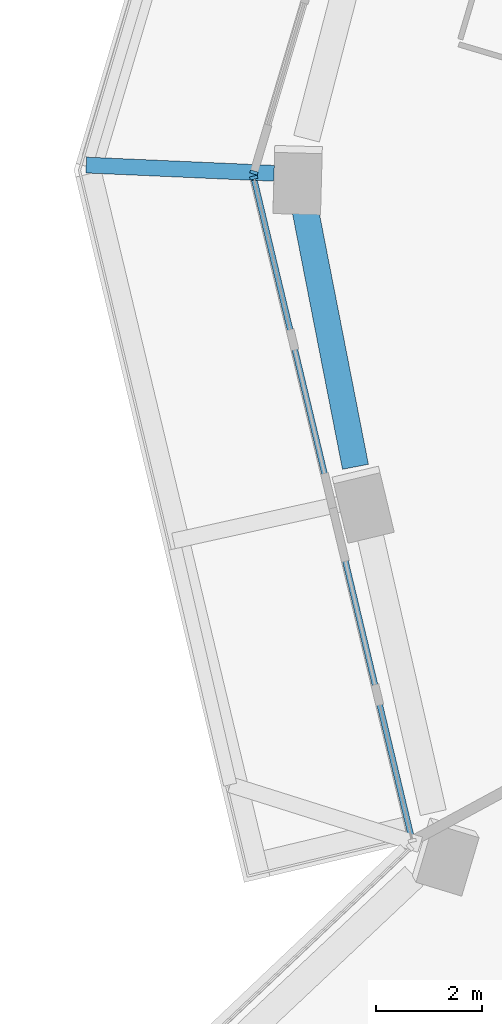
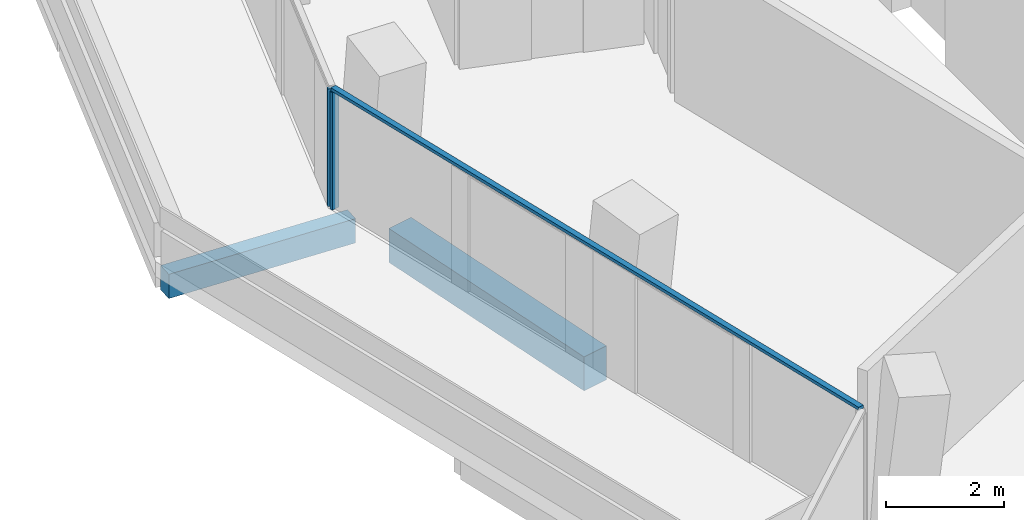
# One storey, part 4 of 27: 3 members, 2 beams, 2 elements without a shape of their own.
"""IFC4 building model written with IfcOpenShell, lengths in metres."""

from ifc_helpers import new_model, si_unit, direction, frame, origin, origin_2d, place, context, subcontext, project, spatial, rectangle, extrude, material, layer, layer_set, material_profile, profile_set, type_object, element, aggregate, save


model = new_model("IFC4")

# Units and contexts
model_context = context("Model", 3, precision=1e-05, world=origin(), true_north=direction((0.0, 1.0)))
body_context = subcontext(model_context, "Body", "Model", "MODEL_VIEW")
ifc_project = project(units=[si_unit("LENGTHUNIT", "METRE"), si_unit("AREAUNIT", "SQUARE_METRE"), si_unit("VOLUMEUNIT", "CUBIC_METRE"), si_unit("PLANEANGLEUNIT", "RADIAN"), si_unit("MASSUNIT", "GRAM", prefix="KILO")], contexts=[model_context])

# Site, building, storey
site_placement = place(None, origin())
site = spatial("IfcSite", under=ifc_project, at=site_placement, CompositionType="ELEMENT")
building_placement = place(site_placement, origin())
building = spatial("IfcBuilding", under=site, at=building_placement, Name="Verdalira Terraces Hotel", CompositionType="ELEMENT")
storey_placement = place(building_placement, frame((0.0, 0.0, 89.5)))
storey = spatial("IfcBuildingStorey", under=building, at=storey_placement, Name="L20", CompositionType="ELEMENT", Elevation=89.5)

# Beam
ifc_material_1 = material(Name="Concrete C40", Category="concrete")
ifc_material_profile_1 = material_profile(ifc_material_1, rectangle(XDim=0.300049, YDim=0.5, at=origin_2d()), Name="RC 300X500")
ifc_profile_set_1 = profile_set([ifc_material_profile_1], Name="Concrete C40")
beam_type_1 = type_object("IfcBeamType", Name="Balcony cantilever beam RC 300X500 C40", PredefinedType="BEAM", material=ifc_profile_set_1)
beam_1_placement = place(storey_placement, frame((-24.63208, 0.714355, -0.560059), z_axis=(-0.999034536, 0.04393171, 0.0), x_axis=(-0.04393171, -0.999034536, 0.0)))
element("IfcBeam", 1, at=beam_1_placement, inside=storey, type_object=beam_type_1, Name="Balcony cantilever beam R12-5", PredefinedType="BEAM", context=body_context, shape_type="SweptSolid", body=[
    extrude(rectangle(XDim=0.300049, YDim=0.5, at=origin_2d()), origin(), (0.0, 0.0, 1.0), 3.556641),
])

# Curtain wall, member
ifc_material_2 = material(Name="Clear glass", Category="glass")
ifc_layer = layer(ifc_material_2, 0.14990234375)
ifc_layer_set = layer_set([ifc_layer], Name="CW1 curtain wall")
curtain_wall_type = type_object("IfcCurtainWallType", Name="CW1 curtain wall", PredefinedType="NOTDEFINED", material=ifc_layer_set)
curtain_wall_1_placement = place(storey_placement, origin())
curtain_wall_1 = element("IfcCurtainWall", 2, at=curtain_wall_1_placement, inside=storey, type_object=curtain_wall_type, Name="CW1 curtain wall L20 edge 12", PredefinedType="NOTDEFINED")
ifc_material_3 = material(Name="Terracotta frame", Category="masonry")
ifc_material_profile_2 = material_profile(ifc_material_3, rectangle(XDim=0.060059, YDim=0.149902, at=origin_2d()), Name="MU 60x150")
ifc_profile_set_2 = profile_set([ifc_material_profile_2], Name="Terracotta frame")
member_type_1 = type_object("IfcMemberType", Name="CW1 mullion 60x150", PredefinedType="MULLION", material=ifc_profile_set_2)
member_1_placement = place(storey_placement, frame((-25.012939, 0.729492, 0.0), z_axis=(0.0, 0.0, 1.0), x_axis=(-0.285019262, -0.958521789, 0.0)))
member_1 = element("IfcMember", 3, at=member_1_placement, type_object=member_type_1, Name="CW1 mullion", PredefinedType="MULLION", context=body_context, shape_type="SweptSolid", body=[
    extrude(rectangle(XDim=0.060059, YDim=0.149902, at=origin_2d()), origin(), (0.0, 0.0, 1.0), 2.425049),
])
aggregate(curtain_wall_1, [member_1])

# Curtain wall, members
curtain_wall_2_placement = place(storey_placement, origin())
curtain_wall_2 = element("IfcCurtainWall", 4, at=curtain_wall_2_placement, inside=storey, type_object=curtain_wall_type, Name="CW1 curtain wall L20 edge 13", PredefinedType="NOTDEFINED")
member_2_placement = place(storey_placement, frame((-25.015381, 0.632812, 0.0), z_axis=(0.0, 0.0, 1.0), x_axis=(0.232426973, -0.972613851, 0.0)))
member_2 = element("IfcMember", 5, at=member_2_placement, type_object=member_type_1, Name="CW1 mullion", PredefinedType="MULLION", context=body_context, shape_type="SweptSolid", body=[
    extrude(rectangle(XDim=0.060059, YDim=0.149902, at=origin_2d()), origin(), (0.0, 0.0, 1.0), 2.425049),
])
ifc_material_4 = material(Name="Terracotta frame", Category="masonry")
ifc_material_profile_3 = material_profile(ifc_material_4, rectangle(XDim=0.110107, YDim=0.064941, at=origin_2d()), Name="TR 65x110")
ifc_profile_set_3 = profile_set([ifc_material_profile_3], Name="Terracotta frame")
member_type_2 = type_object("IfcMemberType", Name="CW1 transom 65x110", PredefinedType="USERDEFINED", material=ifc_profile_set_3)
member_3_placement = place(storey_placement, frame((-25.022461, 0.662109, 2.45752), z_axis=(0.232425234, -0.972614266, 0.0), x_axis=(0.972614266, 0.232425234, 0.0)))
member_3 = element("IfcMember", 6, at=member_3_placement, type_object=member_type_2, Name="CW1 transom", ObjectType="TRANSOM", PredefinedType="USERDEFINED", context=body_context, shape_type="SweptSolid", body=[
    extrude(rectangle(XDim=0.110107, YDim=0.064941, at=origin_2d()), origin(), (0.0, 0.0, 1.0), 12.959961),
])
aggregate(curtain_wall_2, [member_2, member_3])

# Beam
ifc_material_5 = material(Name="Concrete C70", Category="concrete")
ifc_material_profile_4 = material_profile(ifc_material_5, rectangle(XDim=0.5, YDim=0.699951, at=origin_2d()), Name="RC 500X700")
ifc_profile_set_4 = profile_set([ifc_material_profile_4], Name="Concrete C70")
beam_type_2 = type_object("IfcBeamType", Name="Spandrel beam RC 500X700 C70", PredefinedType="SPANDREL", material=ifc_profile_set_4)
beam_2_placement = place(storey_placement, frame((-24.053467, 0.082764, -0.659912), z_axis=(0.191883189, -0.981417771, 0.0), x_axis=(0.981417771, 0.191883189, 0.0)))
element("IfcBeam", 7, at=beam_2_placement, inside=storey, type_object=beam_type_2, Name="Spandrel beam B08", PredefinedType="SPANDREL", context=body_context, shape_type="SweptSolid", body=[
    extrude(rectangle(XDim=0.5, YDim=0.699951, at=origin_2d()), origin(), (0.0, 0.0, 1.0), 5.015625),
])

save(model, "model.ifc")
